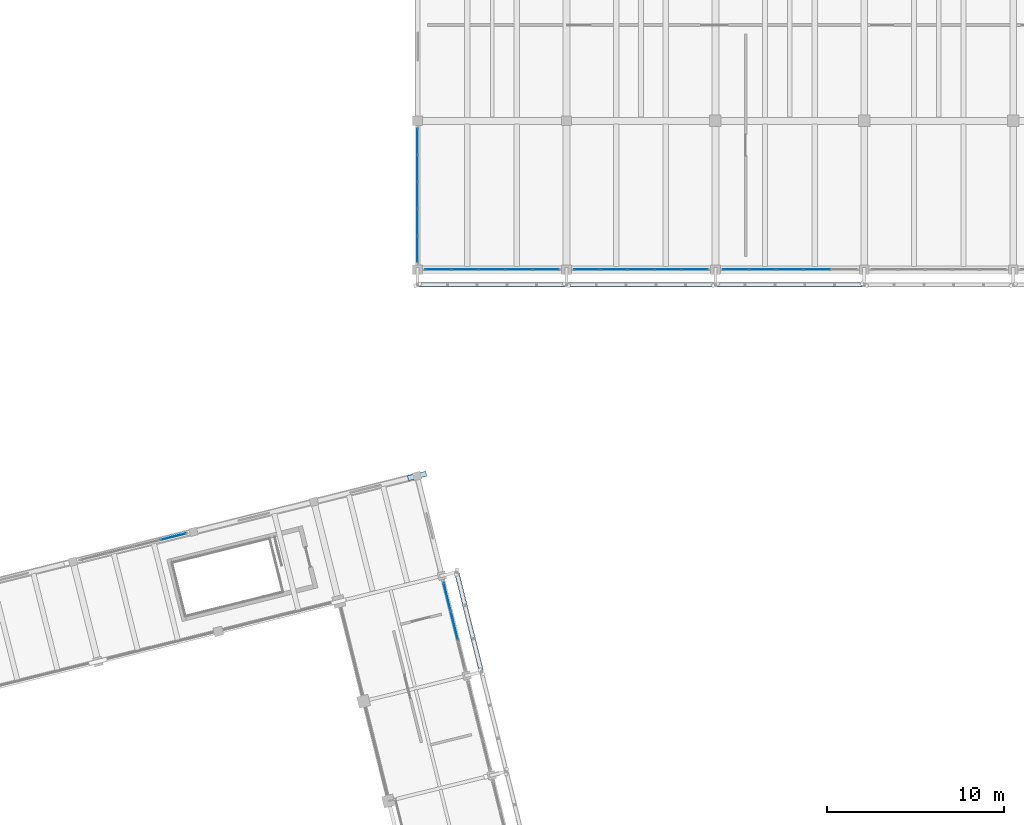
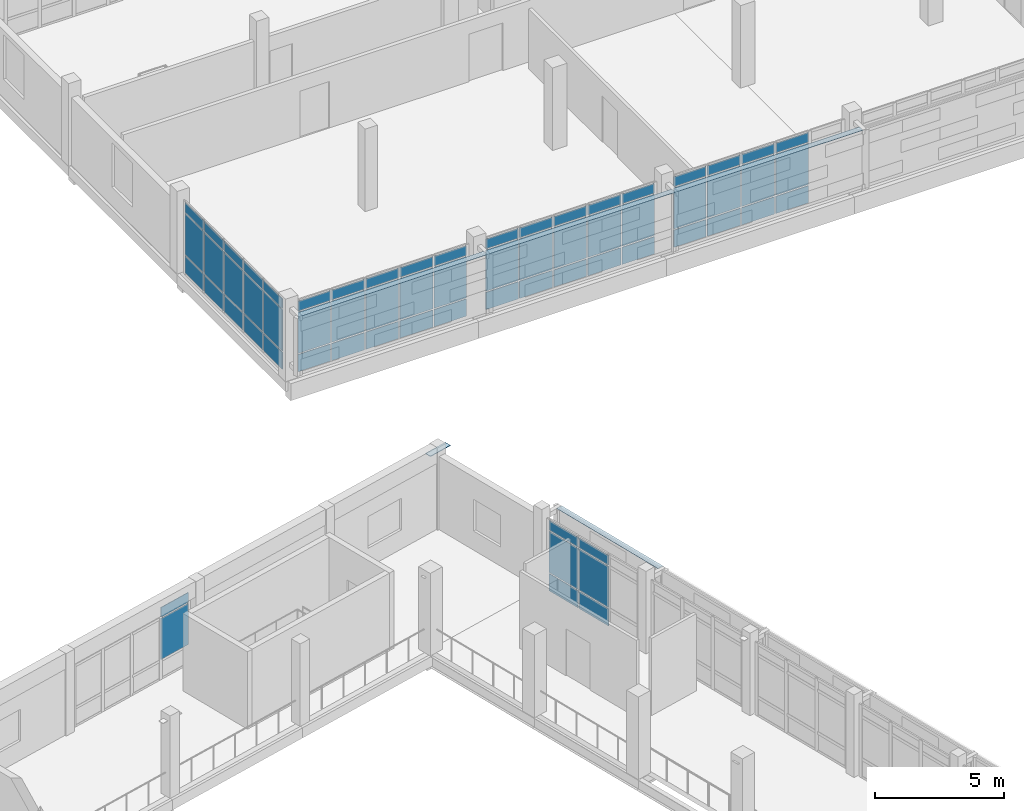
# One storey, part 87 of 117: 70 plates, 6 elements without a shape of their own.
"""IFC4 building model written with IfcOpenShell, lengths in metres."""

from ifc_helpers import new_model, si_unit, direction, frame, origin, origin_2d, place, context, subcontext, project, spatial, rectangle, extrude, material, layer, layer_set, type_object, element, aggregate, save


model = new_model("IFC4")

# Units and contexts
model_context = context("Model", 3, precision=1e-05, world=origin(), true_north=direction((0.0, 1.0)))
body_context = subcontext(model_context, "Body", "Model", "MODEL_VIEW")
ifc_project = project(units=[si_unit("LENGTHUNIT", "METRE"), si_unit("AREAUNIT", "SQUARE_METRE"), si_unit("VOLUMEUNIT", "CUBIC_METRE"), si_unit("PLANEANGLEUNIT", "RADIAN"), si_unit("MASSUNIT", "GRAM", prefix="KILO")], contexts=[model_context])

# Site, building, storey
site_placement = place(None, origin())
site = spatial("IfcSite", under=ifc_project, at=site_placement, CompositionType="ELEMENT")
building_placement = place(site_placement, origin())
building = spatial("IfcBuilding", under=site, at=building_placement, Name="Cinderway Yard Community Centre", CompositionType="ELEMENT")
storey_placement = place(building_placement, frame((0.0, 0.0, 9.0)))
storey = spatial("IfcBuildingStorey", under=building, at=storey_placement, Name="L02", CompositionType="ELEMENT", Elevation=9.0)

# Curtain wall, plates
ifc_material_1 = material(Name="Aluminium 6063-T6", Category="aluminium")
curtain_wall_type_1 = type_object("IfcCurtainWallType", Name="ENV-CW-TYPE-08", PredefinedType="USERDEFINED", material=ifc_material_1)
curtain_wall_1_placement = place(storey_placement, origin())
curtain_wall_1 = element("IfcCurtainWall", 1, at=curtain_wall_1_placement, inside=storey, type_object=curtain_wall_type_1, Name="Choir North Curtain Wall ENV-CW-L02-ST-0029", ObjectType="GLAZED CURTAIN WALL", PredefinedType="USERDEFINED")
ifc_material_2 = material(Name="Laminated Low-E Glass", Category="glass")
ifc_layer_1 = layer(ifc_material_2, 0.028076171875, Name="Laminated Low-E Glass")
ifc_layer_set_1 = layer_set([ifc_layer_1], Name="Laminated Low-E Glass")
plate_type_1 = type_object("IfcPlateType", Name="ENV-CW-PAN-IGU28", PredefinedType="CURTAIN_PANEL", material=ifc_layer_set_1)
plate_1_placement = place(storey_placement, frame((27.819580078125, 74.9345703125, 0.929931640625), z_axis=(0.0, 0.0, 1.0), x_axis=(0.97027434352, 0.242007641009, 0.0)))
plate_1 = element("IfcPlate", 2, at=plate_1_placement, type_object=plate_type_1, Name="CW-08 panel 4.2", PredefinedType="CURTAIN_PANEL", context=body_context, shape_type="SweptSolid", body=[
    extrude(rectangle(XDim=1.469970703125, YDim=0.028076171875, at=origin_2d()), origin(), (0.0, 0.0, 1.0), 1.93994140625),
])
plate_2_placement = place(storey_placement, frame((27.819580078125, 74.9345703125, 2.929931640625), z_axis=(0.0, 0.0, 1.0), x_axis=(0.97027434352, 0.242007641009, 0.0)))
plate_2 = element("IfcPlate", 3, at=plate_2_placement, type_object=plate_type_1, Name="CW-08 panel 4.3", PredefinedType="CURTAIN_PANEL", context=body_context, shape_type="SweptSolid", body=[
    extrude(rectangle(XDim=1.469970703125, YDim=0.028076171875, at=origin_2d()), origin(), (0.0, 0.0, 1.0), 0.4599609375),
])
aggregate(curtain_wall_1, [plate_1, plate_2])

curtain_wall_type_2 = type_object("IfcCurtainWallType", Name="ENV-CW-TYPE-29", PredefinedType="USERDEFINED", material=ifc_material_1)
curtain_wall_2_placement = place(storey_placement, origin())
curtain_wall_2 = element("IfcCurtainWall", 4, at=curtain_wall_2_placement, inside=storey, type_object=curtain_wall_type_2, Name="V4 Courtyard Curtain Wall ENV-CW-L02-ST-0143", ObjectType="GLAZED CURTAIN WALL", PredefinedType="USERDEFINED")
plate_3_placement = place(storey_placement, frame((42.759033203125, 90.0, 0.06005859375), z_axis=(0.0, 0.0, 1.0), x_axis=(1.0, 0.0, 0.0)))
plate_3 = element("IfcPlate", 5, at=plate_3_placement, type_object=plate_type_1, Name="CW-29 panel 1.1", PredefinedType="CURTAIN_PANEL", context=body_context, shape_type="SweptSolid", body=[
    extrude(rectangle(XDim=1.43798828125, YDim=0.028076171875, at=origin_2d()), origin(), (0.0, 0.0, 1.0), 0.81005859375),
])
plate_4_placement = place(storey_placement, frame((42.759033203125, 90.0, 0.929931640625), z_axis=(0.0, 0.0, 1.0), x_axis=(1.0, 0.0, 0.0)))
plate_4 = element("IfcPlate", 6, at=plate_4_placement, type_object=plate_type_1, Name="CW-29 panel 1.2", PredefinedType="CURTAIN_PANEL", context=body_context, shape_type="SweptSolid", body=[
    extrude(rectangle(XDim=1.43798828125, YDim=0.028076171875, at=origin_2d()), origin(), (0.0, 0.0, 1.0), 1.93994140625),
])
plate_5_placement = place(storey_placement, frame((42.759033203125, 90.0, 2.929931640625), z_axis=(0.0, 0.0, 1.0), x_axis=(1.0, 0.0, 0.0)))
plate_5 = element("IfcPlate", 7, at=plate_5_placement, type_object=plate_type_1, Name="CW-29 panel 1.3", PredefinedType="CURTAIN_PANEL", context=body_context, shape_type="SweptSolid", body=[
    extrude(rectangle(XDim=1.43798828125, YDim=0.028076171875, at=origin_2d()), origin(), (0.0, 0.0, 1.0), 0.4599609375),
])
plate_6_placement = place(storey_placement, frame((44.27197265625, 90.0, 0.06005859375), z_axis=(0.0, 0.0, 1.0), x_axis=(1.0, 0.0, 0.0)))
plate_6 = element("IfcPlate", 8, at=plate_6_placement, type_object=plate_type_1, Name="CW-29 panel 2.1", PredefinedType="CURTAIN_PANEL", context=body_context, shape_type="SweptSolid", body=[
    extrude(rectangle(XDim=1.468017578125, YDim=0.028076171875, at=origin_2d()), origin(), (0.0, 0.0, 1.0), 0.81005859375),
])
plate_7_placement = place(storey_placement, frame((44.27197265625, 90.0, 0.929931640625), z_axis=(0.0, 0.0, 1.0), x_axis=(1.0, 0.0, 0.0)))
plate_7 = element("IfcPlate", 9, at=plate_7_placement, type_object=plate_type_1, Name="CW-29 panel 2.2", PredefinedType="CURTAIN_PANEL", context=body_context, shape_type="SweptSolid", body=[
    extrude(rectangle(XDim=1.468017578125, YDim=0.028076171875, at=origin_2d()), origin(), (0.0, 0.0, 1.0), 1.93994140625),
])
plate_8_placement = place(storey_placement, frame((44.27197265625, 90.0, 2.929931640625), z_axis=(0.0, 0.0, 1.0), x_axis=(1.0, 0.0, 0.0)))
plate_8 = element("IfcPlate", 10, at=plate_8_placement, type_object=plate_type_1, Name="CW-29 panel 2.3", PredefinedType="CURTAIN_PANEL", context=body_context, shape_type="SweptSolid", body=[
    extrude(rectangle(XDim=1.468017578125, YDim=0.028076171875, at=origin_2d()), origin(), (0.0, 0.0, 1.0), 0.4599609375),
])
plate_9_placement = place(storey_placement, frame((45.800048828125, 90.0, 0.06005859375), z_axis=(0.0, 0.0, 1.0), x_axis=(1.0, 0.0, 0.0)))
plate_9 = element("IfcPlate", 11, at=plate_9_placement, type_object=plate_type_1, Name="CW-29 panel 3.1", PredefinedType="CURTAIN_PANEL", context=body_context, shape_type="SweptSolid", body=[
    extrude(rectangle(XDim=1.468017578125, YDim=0.028076171875, at=origin_2d()), origin(), (0.0, 0.0, 1.0), 0.81005859375),
])
plate_10_placement = place(storey_placement, frame((45.800048828125, 90.0, 0.929931640625), z_axis=(0.0, 0.0, 1.0), x_axis=(1.0, 0.0, 0.0)))
plate_10 = element("IfcPlate", 12, at=plate_10_placement, type_object=plate_type_1, Name="CW-29 panel 3.2", PredefinedType="CURTAIN_PANEL", context=body_context, shape_type="SweptSolid", body=[
    extrude(rectangle(XDim=1.468017578125, YDim=0.028076171875, at=origin_2d()), origin(), (0.0, 0.0, 1.0), 1.93994140625),
])
plate_11_placement = place(storey_placement, frame((45.800048828125, 90.0, 2.929931640625), z_axis=(0.0, 0.0, 1.0), x_axis=(1.0, 0.0, 0.0)))
plate_11 = element("IfcPlate", 13, at=plate_11_placement, type_object=plate_type_1, Name="CW-29 panel 3.3", PredefinedType="CURTAIN_PANEL", context=body_context, shape_type="SweptSolid", body=[
    extrude(rectangle(XDim=1.468017578125, YDim=0.028076171875, at=origin_2d()), origin(), (0.0, 0.0, 1.0), 0.4599609375),
])
plate_12_placement = place(storey_placement, frame((47.327880859375, 90.0, 0.06005859375), z_axis=(0.0, 0.0, 1.0), x_axis=(1.0, 0.0, 0.0)))
plate_12 = element("IfcPlate", 14, at=plate_12_placement, type_object=plate_type_1, Name="CW-29 panel 4.1", PredefinedType="CURTAIN_PANEL", context=body_context, shape_type="SweptSolid", body=[
    extrude(rectangle(XDim=1.468017578125, YDim=0.028076171875, at=origin_2d()), origin(), (0.0, 0.0, 1.0), 0.81005859375),
])
plate_13_placement = place(storey_placement, frame((47.327880859375, 90.0, 0.929931640625), z_axis=(0.0, 0.0, 1.0), x_axis=(1.0, 0.0, 0.0)))
plate_13 = element("IfcPlate", 15, at=plate_13_placement, type_object=plate_type_1, Name="CW-29 panel 4.2", PredefinedType="CURTAIN_PANEL", context=body_context, shape_type="SweptSolid", body=[
    extrude(rectangle(XDim=1.468017578125, YDim=0.028076171875, at=origin_2d()), origin(), (0.0, 0.0, 1.0), 1.93994140625),
])
plate_14_placement = place(storey_placement, frame((47.327880859375, 90.0, 2.929931640625), z_axis=(0.0, 0.0, 1.0), x_axis=(1.0, 0.0, 0.0)))
plate_14 = element("IfcPlate", 16, at=plate_14_placement, type_object=plate_type_1, Name="CW-29 panel 4.3", PredefinedType="CURTAIN_PANEL", context=body_context, shape_type="SweptSolid", body=[
    extrude(rectangle(XDim=1.468017578125, YDim=0.028076171875, at=origin_2d()), origin(), (0.0, 0.0, 1.0), 0.4599609375),
])
plate_15_placement = place(storey_placement, frame((48.841064453125, 90.0, 0.06005859375), z_axis=(0.0, 0.0, 1.0), x_axis=(1.0, 0.0, 0.0)))
plate_15 = element("IfcPlate", 17, at=plate_15_placement, type_object=plate_type_1, Name="CW-29 panel 5.1", PredefinedType="CURTAIN_PANEL", context=body_context, shape_type="SweptSolid", body=[
    extrude(rectangle(XDim=1.43798828125, YDim=0.028076171875, at=origin_2d()), origin(), (0.0, 0.0, 1.0), 0.81005859375),
])
plate_16_placement = place(storey_placement, frame((48.841064453125, 90.0, 0.929931640625), z_axis=(0.0, 0.0, 1.0), x_axis=(1.0, 0.0, 0.0)))
plate_16 = element("IfcPlate", 18, at=plate_16_placement, type_object=plate_type_1, Name="CW-29 panel 5.2", PredefinedType="CURTAIN_PANEL", context=body_context, shape_type="SweptSolid", body=[
    extrude(rectangle(XDim=1.43798828125, YDim=0.028076171875, at=origin_2d()), origin(), (0.0, 0.0, 1.0), 1.93994140625),
])
plate_17_placement = place(storey_placement, frame((48.841064453125, 90.0, 2.929931640625), z_axis=(0.0, 0.0, 1.0), x_axis=(1.0, 0.0, 0.0)))
plate_17 = element("IfcPlate", 19, at=plate_17_placement, type_object=plate_type_1, Name="CW-29 panel 5.3", PredefinedType="CURTAIN_PANEL", context=body_context, shape_type="SweptSolid", body=[
    extrude(rectangle(XDim=1.43798828125, YDim=0.028076171875, at=origin_2d()), origin(), (0.0, 0.0, 1.0), 0.4599609375),
])
aggregate(curtain_wall_2, [plate_3, plate_4, plate_5, plate_6, plate_7, plate_8, plate_9, plate_10, plate_11, plate_12, plate_13, plate_14, plate_15, plate_16, plate_17])

curtain_wall_3_placement = place(storey_placement, origin())
curtain_wall_3 = element("IfcCurtainWall", 20, at=curtain_wall_3_placement, inside=storey, type_object=curtain_wall_type_2, Name="V4 Courtyard Curtain Wall ENV-CW-L02-ST-0144", ObjectType="GLAZED CURTAIN WALL", PredefinedType="USERDEFINED")
plate_18_placement = place(storey_placement, frame((51.158935546875, 90.0, 0.06005859375), z_axis=(0.0, 0.0, 1.0), x_axis=(1.0, 0.0, 0.0)))
plate_18 = element("IfcPlate", 21, at=plate_18_placement, type_object=plate_type_1, Name="CW-29 panel 1.1", PredefinedType="CURTAIN_PANEL", context=body_context, shape_type="SweptSolid", body=[
    extrude(rectangle(XDim=1.43798828125, YDim=0.028076171875, at=origin_2d()), origin(), (0.0, 0.0, 1.0), 0.81005859375),
])
plate_19_placement = place(storey_placement, frame((51.158935546875, 90.0, 0.929931640625), z_axis=(0.0, 0.0, 1.0), x_axis=(1.0, 0.0, 0.0)))
plate_19 = element("IfcPlate", 22, at=plate_19_placement, type_object=plate_type_1, Name="CW-29 panel 1.2", PredefinedType="CURTAIN_PANEL", context=body_context, shape_type="SweptSolid", body=[
    extrude(rectangle(XDim=1.43798828125, YDim=0.028076171875, at=origin_2d()), origin(), (0.0, 0.0, 1.0), 1.93994140625),
])
plate_20_placement = place(storey_placement, frame((51.158935546875, 90.0, 2.929931640625), z_axis=(0.0, 0.0, 1.0), x_axis=(1.0, 0.0, 0.0)))
plate_20 = element("IfcPlate", 23, at=plate_20_placement, type_object=plate_type_1, Name="CW-29 panel 1.3", PredefinedType="CURTAIN_PANEL", context=body_context, shape_type="SweptSolid", body=[
    extrude(rectangle(XDim=1.43798828125, YDim=0.028076171875, at=origin_2d()), origin(), (0.0, 0.0, 1.0), 0.4599609375),
])
plate_21_placement = place(storey_placement, frame((52.672119140625, 90.0, 0.06005859375), z_axis=(0.0, 0.0, 1.0), x_axis=(1.0, 0.0, 0.0)))
plate_21 = element("IfcPlate", 24, at=plate_21_placement, type_object=plate_type_1, Name="CW-29 panel 2.1", PredefinedType="CURTAIN_PANEL", context=body_context, shape_type="SweptSolid", body=[
    extrude(rectangle(XDim=1.468017578125, YDim=0.028076171875, at=origin_2d()), origin(), (0.0, 0.0, 1.0), 0.81005859375),
])
plate_22_placement = place(storey_placement, frame((52.672119140625, 90.0, 0.929931640625), z_axis=(0.0, 0.0, 1.0), x_axis=(1.0, 0.0, 0.0)))
plate_22 = element("IfcPlate", 25, at=plate_22_placement, type_object=plate_type_1, Name="CW-29 panel 2.2", PredefinedType="CURTAIN_PANEL", context=body_context, shape_type="SweptSolid", body=[
    extrude(rectangle(XDim=1.468017578125, YDim=0.028076171875, at=origin_2d()), origin(), (0.0, 0.0, 1.0), 1.93994140625),
])
plate_23_placement = place(storey_placement, frame((52.672119140625, 90.0, 2.929931640625), z_axis=(0.0, 0.0, 1.0), x_axis=(1.0, 0.0, 0.0)))
plate_23 = element("IfcPlate", 26, at=plate_23_placement, type_object=plate_type_1, Name="CW-29 panel 2.3", PredefinedType="CURTAIN_PANEL", context=body_context, shape_type="SweptSolid", body=[
    extrude(rectangle(XDim=1.468017578125, YDim=0.028076171875, at=origin_2d()), origin(), (0.0, 0.0, 1.0), 0.4599609375),
])
plate_24_placement = place(storey_placement, frame((54.199951171875, 90.0, 0.06005859375), z_axis=(0.0, 0.0, 1.0), x_axis=(1.0, 0.0, 0.0)))
plate_24 = element("IfcPlate", 27, at=plate_24_placement, type_object=plate_type_1, Name="CW-29 panel 3.1", PredefinedType="CURTAIN_PANEL", context=body_context, shape_type="SweptSolid", body=[
    extrude(rectangle(XDim=1.468017578125, YDim=0.028076171875, at=origin_2d()), origin(), (0.0, 0.0, 1.0), 0.81005859375),
])
plate_25_placement = place(storey_placement, frame((54.199951171875, 90.0, 0.929931640625), z_axis=(0.0, 0.0, 1.0), x_axis=(1.0, 0.0, 0.0)))
plate_25 = element("IfcPlate", 28, at=plate_25_placement, type_object=plate_type_1, Name="CW-29 panel 3.2", PredefinedType="CURTAIN_PANEL", context=body_context, shape_type="SweptSolid", body=[
    extrude(rectangle(XDim=1.468017578125, YDim=0.028076171875, at=origin_2d()), origin(), (0.0, 0.0, 1.0), 1.93994140625),
])
plate_26_placement = place(storey_placement, frame((54.199951171875, 90.0, 2.929931640625), z_axis=(0.0, 0.0, 1.0), x_axis=(1.0, 0.0, 0.0)))
plate_26 = element("IfcPlate", 29, at=plate_26_placement, type_object=plate_type_1, Name="CW-29 panel 3.3", PredefinedType="CURTAIN_PANEL", context=body_context, shape_type="SweptSolid", body=[
    extrude(rectangle(XDim=1.468017578125, YDim=0.028076171875, at=origin_2d()), origin(), (0.0, 0.0, 1.0), 0.4599609375),
])
plate_27_placement = place(storey_placement, frame((55.72802734375, 90.0, 0.06005859375), z_axis=(0.0, 0.0, 1.0), x_axis=(1.0, 0.0, 0.0)))
plate_27 = element("IfcPlate", 30, at=plate_27_placement, type_object=plate_type_1, Name="CW-29 panel 4.1", PredefinedType="CURTAIN_PANEL", context=body_context, shape_type="SweptSolid", body=[
    extrude(rectangle(XDim=1.468017578125, YDim=0.028076171875, at=origin_2d()), origin(), (0.0, 0.0, 1.0), 0.81005859375),
])
plate_28_placement = place(storey_placement, frame((55.72802734375, 90.0, 0.929931640625), z_axis=(0.0, 0.0, 1.0), x_axis=(1.0, 0.0, 0.0)))
plate_28 = element("IfcPlate", 31, at=plate_28_placement, type_object=plate_type_1, Name="CW-29 panel 4.2", PredefinedType="CURTAIN_PANEL", context=body_context, shape_type="SweptSolid", body=[
    extrude(rectangle(XDim=1.468017578125, YDim=0.028076171875, at=origin_2d()), origin(), (0.0, 0.0, 1.0), 1.93994140625),
])
plate_29_placement = place(storey_placement, frame((55.72802734375, 90.0, 2.929931640625), z_axis=(0.0, 0.0, 1.0), x_axis=(1.0, 0.0, 0.0)))
plate_29 = element("IfcPlate", 32, at=plate_29_placement, type_object=plate_type_1, Name="CW-29 panel 4.3", PredefinedType="CURTAIN_PANEL", context=body_context, shape_type="SweptSolid", body=[
    extrude(rectangle(XDim=1.468017578125, YDim=0.028076171875, at=origin_2d()), origin(), (0.0, 0.0, 1.0), 0.4599609375),
])
plate_30_placement = place(storey_placement, frame((57.240966796875, 90.0, 0.06005859375), z_axis=(0.0, 0.0, 1.0), x_axis=(1.0, 0.0, 0.0)))
plate_30 = element("IfcPlate", 33, at=plate_30_placement, type_object=plate_type_1, Name="CW-29 panel 5.1", PredefinedType="CURTAIN_PANEL", context=body_context, shape_type="SweptSolid", body=[
    extrude(rectangle(XDim=1.43798828125, YDim=0.028076171875, at=origin_2d()), origin(), (0.0, 0.0, 1.0), 0.81005859375),
])
plate_31_placement = place(storey_placement, frame((57.240966796875, 90.0, 0.929931640625), z_axis=(0.0, 0.0, 1.0), x_axis=(1.0, 0.0, 0.0)))
plate_31 = element("IfcPlate", 34, at=plate_31_placement, type_object=plate_type_1, Name="CW-29 panel 5.2", PredefinedType="CURTAIN_PANEL", context=body_context, shape_type="SweptSolid", body=[
    extrude(rectangle(XDim=1.43798828125, YDim=0.028076171875, at=origin_2d()), origin(), (0.0, 0.0, 1.0), 1.93994140625),
])
plate_32_placement = place(storey_placement, frame((57.240966796875, 90.0, 2.929931640625), z_axis=(0.0, 0.0, 1.0), x_axis=(1.0, 0.0, 0.0)))
plate_32 = element("IfcPlate", 35, at=plate_32_placement, type_object=plate_type_1, Name="CW-29 panel 5.3", PredefinedType="CURTAIN_PANEL", context=body_context, shape_type="SweptSolid", body=[
    extrude(rectangle(XDim=1.43798828125, YDim=0.028076171875, at=origin_2d()), origin(), (0.0, 0.0, 1.0), 0.4599609375),
])
aggregate(curtain_wall_3, [plate_18, plate_19, plate_20, plate_21, plate_22, plate_23, plate_24, plate_25, plate_26, plate_27, plate_28, plate_29, plate_30, plate_31, plate_32])

curtain_wall_4_placement = place(storey_placement, origin())
curtain_wall_4 = element("IfcCurtainWall", 36, at=curtain_wall_4_placement, inside=storey, type_object=curtain_wall_type_2, Name="V4 Courtyard Curtain Wall ENV-CW-L02-ST-0146", ObjectType="GLAZED CURTAIN WALL", PredefinedType="USERDEFINED")
plate_33_placement = place(storey_placement, frame((59.55908203125, 90.0, 0.06005859375), z_axis=(0.0, 0.0, 1.0), x_axis=(1.0, 0.0, 0.0)))
plate_33 = element("IfcPlate", 37, at=plate_33_placement, type_object=plate_type_1, Name="CW-29 panel 1.1", PredefinedType="CURTAIN_PANEL", context=body_context, shape_type="SweptSolid", body=[
    extrude(rectangle(XDim=1.43798828125, YDim=0.028076171875, at=origin_2d()), origin(), (0.0, 0.0, 1.0), 0.81005859375),
])
plate_34_placement = place(storey_placement, frame((59.55908203125, 90.0, 0.929931640625), z_axis=(0.0, 0.0, 1.0), x_axis=(1.0, 0.0, 0.0)))
plate_34 = element("IfcPlate", 38, at=plate_34_placement, type_object=plate_type_1, Name="CW-29 panel 1.2", PredefinedType="CURTAIN_PANEL", context=body_context, shape_type="SweptSolid", body=[
    extrude(rectangle(XDim=1.43798828125, YDim=0.028076171875, at=origin_2d()), origin(), (0.0, 0.0, 1.0), 1.93994140625),
])
plate_35_placement = place(storey_placement, frame((59.55908203125, 90.0, 2.929931640625), z_axis=(0.0, 0.0, 1.0), x_axis=(1.0, 0.0, 0.0)))
plate_35 = element("IfcPlate", 39, at=plate_35_placement, type_object=plate_type_1, Name="CW-29 panel 1.3", PredefinedType="CURTAIN_PANEL", context=body_context, shape_type="SweptSolid", body=[
    extrude(rectangle(XDim=1.43798828125, YDim=0.028076171875, at=origin_2d()), origin(), (0.0, 0.0, 1.0), 0.4599609375),
])
plate_36_placement = place(storey_placement, frame((61.072021484375, 90.0, 0.06005859375), z_axis=(0.0, 0.0, 1.0), x_axis=(1.0, 0.0, 0.0)))
plate_36 = element("IfcPlate", 40, at=plate_36_placement, type_object=plate_type_1, Name="CW-29 panel 2.1", PredefinedType="CURTAIN_PANEL", context=body_context, shape_type="SweptSolid", body=[
    extrude(rectangle(XDim=1.468017578125, YDim=0.028076171875, at=origin_2d()), origin(), (0.0, 0.0, 1.0), 0.81005859375),
])
plate_37_placement = place(storey_placement, frame((61.072021484375, 90.0, 0.929931640625), z_axis=(0.0, 0.0, 1.0), x_axis=(1.0, 0.0, 0.0)))
plate_37 = element("IfcPlate", 41, at=plate_37_placement, type_object=plate_type_1, Name="CW-29 panel 2.2", PredefinedType="CURTAIN_PANEL", context=body_context, shape_type="SweptSolid", body=[
    extrude(rectangle(XDim=1.468017578125, YDim=0.028076171875, at=origin_2d()), origin(), (0.0, 0.0, 1.0), 1.93994140625),
])
plate_38_placement = place(storey_placement, frame((61.072021484375, 90.0, 2.929931640625), z_axis=(0.0, 0.0, 1.0), x_axis=(1.0, 0.0, 0.0)))
plate_38 = element("IfcPlate", 42, at=plate_38_placement, type_object=plate_type_1, Name="CW-29 panel 2.3", PredefinedType="CURTAIN_PANEL", context=body_context, shape_type="SweptSolid", body=[
    extrude(rectangle(XDim=1.468017578125, YDim=0.028076171875, at=origin_2d()), origin(), (0.0, 0.0, 1.0), 0.4599609375),
])
plate_39_placement = place(storey_placement, frame((62.60009765625, 90.0, 0.06005859375), z_axis=(0.0, 0.0, 1.0), x_axis=(1.0, 0.0, 0.0)))
plate_39 = element("IfcPlate", 43, at=plate_39_placement, type_object=plate_type_1, Name="CW-29 panel 3.1", PredefinedType="CURTAIN_PANEL", context=body_context, shape_type="SweptSolid", body=[
    extrude(rectangle(XDim=1.468017578125, YDim=0.028076171875, at=origin_2d()), origin(), (0.0, 0.0, 1.0), 0.81005859375),
])
plate_40_placement = place(storey_placement, frame((62.60009765625, 90.0, 0.929931640625), z_axis=(0.0, 0.0, 1.0), x_axis=(1.0, 0.0, 0.0)))
plate_40 = element("IfcPlate", 44, at=plate_40_placement, type_object=plate_type_1, Name="CW-29 panel 3.2", PredefinedType="CURTAIN_PANEL", context=body_context, shape_type="SweptSolid", body=[
    extrude(rectangle(XDim=1.468017578125, YDim=0.028076171875, at=origin_2d()), origin(), (0.0, 0.0, 1.0), 1.93994140625),
])
plate_41_placement = place(storey_placement, frame((62.60009765625, 90.0, 2.929931640625), z_axis=(0.0, 0.0, 1.0), x_axis=(1.0, 0.0, 0.0)))
plate_41 = element("IfcPlate", 45, at=plate_41_placement, type_object=plate_type_1, Name="CW-29 panel 3.3", PredefinedType="CURTAIN_PANEL", context=body_context, shape_type="SweptSolid", body=[
    extrude(rectangle(XDim=1.468017578125, YDim=0.028076171875, at=origin_2d()), origin(), (0.0, 0.0, 1.0), 0.4599609375),
])
plate_42_placement = place(storey_placement, frame((64.1279296875, 90.0, 0.06005859375), z_axis=(0.0, 0.0, 1.0), x_axis=(1.0, 0.0, 0.0)))
plate_42 = element("IfcPlate", 46, at=plate_42_placement, type_object=plate_type_1, Name="CW-29 panel 4.1", PredefinedType="CURTAIN_PANEL", context=body_context, shape_type="SweptSolid", body=[
    extrude(rectangle(XDim=1.468017578125, YDim=0.028076171875, at=origin_2d()), origin(), (0.0, 0.0, 1.0), 0.81005859375),
])
plate_43_placement = place(storey_placement, frame((64.1279296875, 90.0, 0.929931640625), z_axis=(0.0, 0.0, 1.0), x_axis=(1.0, 0.0, 0.0)))
plate_43 = element("IfcPlate", 47, at=plate_43_placement, type_object=plate_type_1, Name="CW-29 panel 4.2", PredefinedType="CURTAIN_PANEL", context=body_context, shape_type="SweptSolid", body=[
    extrude(rectangle(XDim=1.468017578125, YDim=0.028076171875, at=origin_2d()), origin(), (0.0, 0.0, 1.0), 1.93994140625),
])
plate_44_placement = place(storey_placement, frame((64.1279296875, 90.0, 2.929931640625), z_axis=(0.0, 0.0, 1.0), x_axis=(1.0, 0.0, 0.0)))
plate_44 = element("IfcPlate", 48, at=plate_44_placement, type_object=plate_type_1, Name="CW-29 panel 4.3", PredefinedType="CURTAIN_PANEL", context=body_context, shape_type="SweptSolid", body=[
    extrude(rectangle(XDim=1.468017578125, YDim=0.028076171875, at=origin_2d()), origin(), (0.0, 0.0, 1.0), 0.4599609375),
])
aggregate(curtain_wall_4, [plate_33, plate_34, plate_35, plate_36, plate_37, plate_38, plate_39, plate_40, plate_41, plate_42, plate_43, plate_44])

curtain_wall_5_placement = place(storey_placement, origin())
curtain_wall_5 = element("IfcCurtainWall", 49, at=curtain_wall_5_placement, inside=storey, type_object=curtain_wall_type_2, Name="V4 West End Curtain Wall ENV-CW-L02-ST-0159", ObjectType="GLAZED CURTAIN WALL", PredefinedType="USERDEFINED")
plate_45_placement = place(storey_placement, frame((41.60009765625, 91.158935546875, 0.06005859375), z_axis=(0.0, 0.0, 1.0), x_axis=(0.0, 1.0, 0.0)))
plate_45 = element("IfcPlate", 50, at=plate_45_placement, type_object=plate_type_1, Name="CW-29 panel 1.1", PredefinedType="CURTAIN_PANEL", context=body_context, shape_type="SweptSolid", body=[
    extrude(rectangle(XDim=1.43798828125, YDim=0.028076171875, at=origin_2d()), origin(), (0.0, 0.0, 1.0), 0.81005859375),
])
plate_46_placement = place(storey_placement, frame((41.60009765625, 91.158935546875, 0.929931640625), z_axis=(0.0, 0.0, 1.0), x_axis=(0.0, 1.0, 0.0)))
plate_46 = element("IfcPlate", 51, at=plate_46_placement, type_object=plate_type_1, Name="CW-29 panel 1.2", PredefinedType="CURTAIN_PANEL", context=body_context, shape_type="SweptSolid", body=[
    extrude(rectangle(XDim=1.43798828125, YDim=0.028076171875, at=origin_2d()), origin(), (0.0, 0.0, 1.0), 1.93994140625),
])
plate_47_placement = place(storey_placement, frame((41.60009765625, 91.158935546875, 2.929931640625), z_axis=(0.0, 0.0, 1.0), x_axis=(0.0, 1.0, 0.0)))
plate_47 = element("IfcPlate", 52, at=plate_47_placement, type_object=plate_type_1, Name="CW-29 panel 1.3", PredefinedType="CURTAIN_PANEL", context=body_context, shape_type="SweptSolid", body=[
    extrude(rectangle(XDim=1.43798828125, YDim=0.028076171875, at=origin_2d()), origin(), (0.0, 0.0, 1.0), 0.4599609375),
])
plate_48_placement = place(storey_placement, frame((41.60009765625, 92.672119140625, 0.06005859375), z_axis=(0.0, 0.0, 1.0), x_axis=(0.0, 1.0, 0.0)))
plate_48 = element("IfcPlate", 53, at=plate_48_placement, type_object=plate_type_1, Name="CW-29 panel 2.1", PredefinedType="CURTAIN_PANEL", context=body_context, shape_type="SweptSolid", body=[
    extrude(rectangle(XDim=1.468017578125, YDim=0.028076171875, at=origin_2d()), origin(), (0.0, 0.0, 1.0), 0.81005859375),
])
plate_49_placement = place(storey_placement, frame((41.60009765625, 92.672119140625, 0.929931640625), z_axis=(0.0, 0.0, 1.0), x_axis=(0.0, 1.0, 0.0)))
plate_49 = element("IfcPlate", 54, at=plate_49_placement, type_object=plate_type_1, Name="CW-29 panel 2.2", PredefinedType="CURTAIN_PANEL", context=body_context, shape_type="SweptSolid", body=[
    extrude(rectangle(XDim=1.468017578125, YDim=0.028076171875, at=origin_2d()), origin(), (0.0, 0.0, 1.0), 1.93994140625),
])
plate_50_placement = place(storey_placement, frame((41.60009765625, 92.672119140625, 2.929931640625), z_axis=(0.0, 0.0, 1.0), x_axis=(0.0, 1.0, 0.0)))
plate_50 = element("IfcPlate", 55, at=plate_50_placement, type_object=plate_type_1, Name="CW-29 panel 2.3", PredefinedType="CURTAIN_PANEL", context=body_context, shape_type="SweptSolid", body=[
    extrude(rectangle(XDim=1.468017578125, YDim=0.028076171875, at=origin_2d()), origin(), (0.0, 0.0, 1.0), 0.4599609375),
])
plate_51_placement = place(storey_placement, frame((41.60009765625, 94.199951171875, 0.06005859375), z_axis=(0.0, 0.0, 1.0), x_axis=(0.0, 1.0, 0.0)))
plate_51 = element("IfcPlate", 56, at=plate_51_placement, type_object=plate_type_1, Name="CW-29 panel 3.1", PredefinedType="CURTAIN_PANEL", context=body_context, shape_type="SweptSolid", body=[
    extrude(rectangle(XDim=1.468017578125, YDim=0.028076171875, at=origin_2d()), origin(), (0.0, 0.0, 1.0), 0.81005859375),
])
plate_52_placement = place(storey_placement, frame((41.60009765625, 94.199951171875, 0.929931640625), z_axis=(0.0, 0.0, 1.0), x_axis=(0.0, 1.0, 0.0)))
plate_52 = element("IfcPlate", 57, at=plate_52_placement, type_object=plate_type_1, Name="CW-29 panel 3.2", PredefinedType="CURTAIN_PANEL", context=body_context, shape_type="SweptSolid", body=[
    extrude(rectangle(XDim=1.468017578125, YDim=0.028076171875, at=origin_2d()), origin(), (0.0, 0.0, 1.0), 1.93994140625),
])
plate_53_placement = place(storey_placement, frame((41.60009765625, 94.199951171875, 2.929931640625), z_axis=(0.0, 0.0, 1.0), x_axis=(0.0, 1.0, 0.0)))
plate_53 = element("IfcPlate", 58, at=plate_53_placement, type_object=plate_type_1, Name="CW-29 panel 3.3", PredefinedType="CURTAIN_PANEL", context=body_context, shape_type="SweptSolid", body=[
    extrude(rectangle(XDim=1.468017578125, YDim=0.028076171875, at=origin_2d()), origin(), (0.0, 0.0, 1.0), 0.4599609375),
])
plate_54_placement = place(storey_placement, frame((41.60009765625, 95.72802734375, 0.06005859375), z_axis=(0.0, 0.0, 1.0), x_axis=(0.0, 1.0, 0.0)))
plate_54 = element("IfcPlate", 59, at=plate_54_placement, type_object=plate_type_1, Name="CW-29 panel 4.1", PredefinedType="CURTAIN_PANEL", context=body_context, shape_type="SweptSolid", body=[
    extrude(rectangle(XDim=1.468017578125, YDim=0.028076171875, at=origin_2d()), origin(), (0.0, 0.0, 1.0), 0.81005859375),
])
plate_55_placement = place(storey_placement, frame((41.60009765625, 95.72802734375, 0.929931640625), z_axis=(0.0, 0.0, 1.0), x_axis=(0.0, 1.0, 0.0)))
plate_55 = element("IfcPlate", 60, at=plate_55_placement, type_object=plate_type_1, Name="CW-29 panel 4.2", PredefinedType="CURTAIN_PANEL", context=body_context, shape_type="SweptSolid", body=[
    extrude(rectangle(XDim=1.468017578125, YDim=0.028076171875, at=origin_2d()), origin(), (0.0, 0.0, 1.0), 1.93994140625),
])
plate_56_placement = place(storey_placement, frame((41.60009765625, 95.72802734375, 2.929931640625), z_axis=(0.0, 0.0, 1.0), x_axis=(0.0, 1.0, 0.0)))
plate_56 = element("IfcPlate", 61, at=plate_56_placement, type_object=plate_type_1, Name="CW-29 panel 4.3", PredefinedType="CURTAIN_PANEL", context=body_context, shape_type="SweptSolid", body=[
    extrude(rectangle(XDim=1.468017578125, YDim=0.028076171875, at=origin_2d()), origin(), (0.0, 0.0, 1.0), 0.4599609375),
])
plate_57_placement = place(storey_placement, frame((41.60009765625, 97.240966796875, 0.06005859375), z_axis=(0.0, 0.0, 1.0), x_axis=(0.0, 1.0, 0.0)))
plate_57 = element("IfcPlate", 62, at=plate_57_placement, type_object=plate_type_1, Name="CW-29 panel 5.1", PredefinedType="CURTAIN_PANEL", context=body_context, shape_type="SweptSolid", body=[
    extrude(rectangle(XDim=1.43798828125, YDim=0.028076171875, at=origin_2d()), origin(), (0.0, 0.0, 1.0), 0.81005859375),
])
plate_58_placement = place(storey_placement, frame((41.60009765625, 97.240966796875, 0.929931640625), z_axis=(0.0, 0.0, 1.0), x_axis=(0.0, 1.0, 0.0)))
plate_58 = element("IfcPlate", 63, at=plate_58_placement, type_object=plate_type_1, Name="CW-29 panel 5.2", PredefinedType="CURTAIN_PANEL", context=body_context, shape_type="SweptSolid", body=[
    extrude(rectangle(XDim=1.43798828125, YDim=0.028076171875, at=origin_2d()), origin(), (0.0, 0.0, 1.0), 1.93994140625),
])
plate_59_placement = place(storey_placement, frame((41.60009765625, 97.240966796875, 2.929931640625), z_axis=(0.0, 0.0, 1.0), x_axis=(0.0, 1.0, 0.0)))
plate_59 = element("IfcPlate", 64, at=plate_59_placement, type_object=plate_type_1, Name="CW-29 panel 5.3", PredefinedType="CURTAIN_PANEL", context=body_context, shape_type="SweptSolid", body=[
    extrude(rectangle(XDim=1.43798828125, YDim=0.028076171875, at=origin_2d()), origin(), (0.0, 0.0, 1.0), 0.4599609375),
])
aggregate(curtain_wall_5, [plate_45, plate_46, plate_47, plate_48, plate_49, plate_50, plate_51, plate_52, plate_53, plate_54, plate_55, plate_56, plate_57, plate_58, plate_59])

curtain_wall_type_3 = type_object("IfcCurtainWallType", Name="ENV-CW-TYPE-07", PredefinedType="USERDEFINED", material=ifc_material_1)
curtain_wall_6_placement = place(storey_placement, origin())
curtain_wall_6 = element("IfcCurtainWall", 65, at=curtain_wall_6_placement, inside=storey, type_object=curtain_wall_type_3, Name="Main Hall Courtyard Curtain Wall ENV-CW-L02-HS-0026", ObjectType="GLAZED CURTAIN WALL", PredefinedType="USERDEFINED")
ifc_layer_2 = layer(ifc_material_2, 0.031982421875, Name="Laminated Low-E Glass")
ifc_layer_set_2 = layer_set([ifc_layer_2], Name="Laminated Low-E Glass")
plate_type_2 = type_object("IfcPlateType", Name="ENV-CW-PAN-IGU32", PredefinedType="CURTAIN_PANEL", material=ifc_layer_set_2)
plate_60_placement = place(storey_placement, frame((43.678955078125, 69.922119140625, 0.06005859375), z_axis=(0.0, 0.0, 1.0), x_axis=(-0.242072522276, 0.970258158409, 0.0)))
plate_60 = element("IfcPlate", 66, at=plate_60_placement, type_object=plate_type_2, Name="CW-07 panel 2.1", PredefinedType="CURTAIN_PANEL", context=body_context, shape_type="SweptSolid", body=[
    extrude(rectangle(XDim=1.6337890625, YDim=0.028076171875, at=origin_2d()), origin(), (0.0, 0.0, 1.0), 0.81005859375),
])
plate_61_placement = place(storey_placement, frame((43.678955078125, 69.922119140625, 0.929931640625), z_axis=(0.0, 0.0, 1.0), x_axis=(-0.242072522276, 0.970258158409, 0.0)))
plate_61 = element("IfcPlate", 67, at=plate_61_placement, type_object=plate_type_2, Name="CW-07 panel 2.2", PredefinedType="CURTAIN_PANEL", context=body_context, shape_type="SweptSolid", body=[
    extrude(rectangle(XDim=1.6337890625, YDim=0.028076171875, at=origin_2d()), origin(), (0.0, 0.0, 1.0), 1.93994140625),
])
plate_62_placement = place(storey_placement, frame((43.678955078125, 69.922119140625, 2.929931640625), z_axis=(0.0, 0.0, 1.0), x_axis=(-0.242072522276, 0.970258158409, 0.0)))
plate_62 = element("IfcPlate", 68, at=plate_62_placement, type_object=plate_type_2, Name="CW-07 panel 2.3", PredefinedType="CURTAIN_PANEL", context=body_context, shape_type="SweptSolid", body=[
    extrude(rectangle(XDim=1.6337890625, YDim=0.028076171875, at=origin_2d()), origin(), (0.0, 0.0, 1.0), 0.4599609375),
])
plate_63_placement = place(storey_placement, frame((43.272705078125, 71.55078125, 0.06005859375), z_axis=(0.0, 0.0, 1.0), x_axis=(-0.242072522276, 0.970258158409, 0.0)))
plate_63 = element("IfcPlate", 69, at=plate_63_placement, type_object=plate_type_2, Name="CW-07 panel 3.1", PredefinedType="CURTAIN_PANEL", context=body_context, shape_type="SweptSolid", body=[
    extrude(rectangle(XDim=1.603759765625, YDim=0.028076171875, at=origin_2d()), origin(), (0.0, 0.0, 1.0), 0.81005859375),
])
plate_64_placement = place(storey_placement, frame((43.272705078125, 71.55078125, 0.929931640625), z_axis=(0.0, 0.0, 1.0), x_axis=(-0.242072522276, 0.970258158409, 0.0)))
plate_64 = element("IfcPlate", 70, at=plate_64_placement, type_object=plate_type_2, Name="CW-07 panel 3.2", PredefinedType="CURTAIN_PANEL", context=body_context, shape_type="SweptSolid", body=[
    extrude(rectangle(XDim=1.603759765625, YDim=0.028076171875, at=origin_2d()), origin(), (0.0, 0.0, 1.0), 1.93994140625),
])
plate_65_placement = place(storey_placement, frame((43.272705078125, 71.55078125, 2.929931640625), z_axis=(0.0, 0.0, 1.0), x_axis=(-0.242072522276, 0.970258158409, 0.0)))
plate_65 = element("IfcPlate", 71, at=plate_65_placement, type_object=plate_type_2, Name="CW-07 panel 3.3", PredefinedType="CURTAIN_PANEL", context=body_context, shape_type="SweptSolid", body=[
    extrude(rectangle(XDim=1.603759765625, YDim=0.028076171875, at=origin_2d()), origin(), (0.0, 0.0, 1.0), 0.4599609375),
])
aggregate(curtain_wall_6, [plate_60, plate_61, plate_62, plate_63, plate_64, plate_65])

# Plates
ifc_layer_3 = layer(ifc_material_1, 0.01611328125, Name="Aluminium 6063-T6")
ifc_layer_set_3 = layer_set([ifc_layer_3], Name="Aluminium 6063-T6")
plate_type_3 = type_object("IfcPlateType", Name="ENV-PLT-FASCIA16", PredefinedType="USERDEFINED", material=ifc_layer_set_3)
for number, where, z_axis, x_axis, name in (
    (72, (45.800048828125, 89.14990234375, 3.411865234375), (0.0, 0.0, 1.0), (-1.0, 0.0, 0.0), "Screen coping fascia 0052"),
    (73, (54.199951171875, 89.14990234375, 3.411865234375), (0.0, 0.0, 1.0), (-1.0, 0.0, 0.0), "Screen coping fascia 0053"),
    (74, (62.60009765625, 89.14990234375, 3.411865234375), (0.0, 0.0, 1.0), (-1.0, 0.0, 0.0), "Screen coping fascia 0054"),
):
    element("IfcPlate", number, at=place(storey_placement, frame(where, z_axis=z_axis, x_axis=x_axis)), inside=storey, type_object=plate_type_3, Name=name, ObjectType="FASCIA PLATE", PredefinedType="USERDEFINED", context=body_context, shape_type="SweptSolid", body=[
        extrude(rectangle(XDim=8.300048828125, YDim=0.260009765625, at=origin_2d()), origin(), (0.0, 0.0, 1.0), 0.01611328125),
    ])
plate_66_placement = place(storey_placement, frame((44.50390625, 70.1279296875, 3.411865234375), z_axis=(0.0, 0.0, 1.0), x_axis=(0.2419218956, -0.970295726276, 0.0)))
element("IfcPlate", 75, at=plate_66_placement, inside=storey, type_object=plate_type_3, Name="Screen coping fascia 0123", ObjectType="FASCIA PLATE", PredefinedType="USERDEFINED", context=body_context, shape_type="SweptSolid", body=[
    extrude(rectangle(XDim=5.699951171875, YDim=0.260009765625, at=origin_2d()), origin(), (0.0, 0.0, 1.0), 0.01611328125),
])
ifc_material_3 = material(Name="Steel S355", Category="steel")
ifc_layer_4 = layer(ifc_material_3, 0.02392578125, Name="Steel S355")
ifc_layer_set_4 = layer_set([ifc_layer_4], Name="Steel S355")
plate_type_4 = type_object("IfcPlateType", Name="STR-PLT-STIFF-13", PredefinedType="SHEET", material=ifc_layer_set_4)
plate_67_placement = place(storey_placement, frame((41.573974609375, 78.364013671875, 3.588134765625), z_axis=(0.0, 0.0, 1.0), x_axis=(0.970295726276, 0.2419218956, 0.0)))
element("IfcPlate", 76, at=plate_67_placement, inside=storey, type_object=plate_type_4, Name="Column head stiffener plate 13", PredefinedType="SHEET", context=body_context, shape_type="SweptSolid", body=[
    extrude(rectangle(XDim=1.070068359375, YDim=0.284912109375, at=origin_2d()), origin(), (0.0, 0.0, 1.0), 0.02392578125),
])

save(model, "model.ifc")
